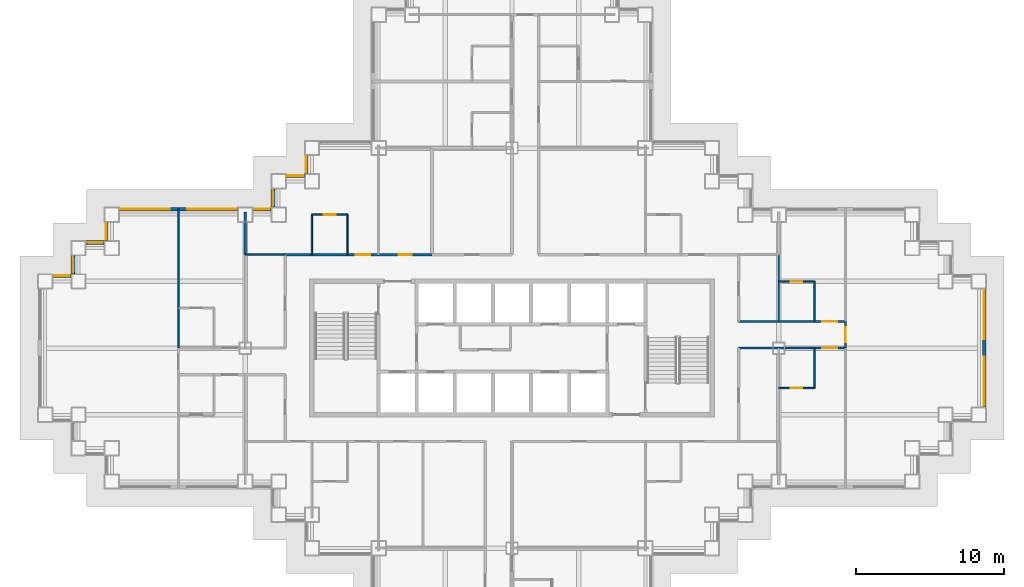
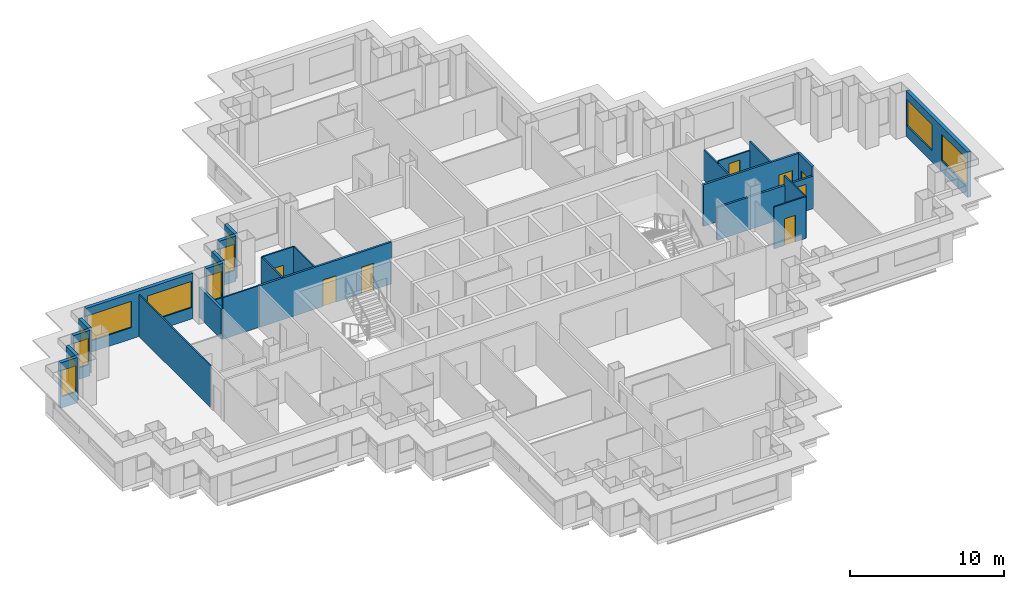
# One storey, part 7 of 14: 25 walls, 12 windows, 8 doors, 20 openings.
"""IFC4 building model written with IfcOpenShell, lengths in metres."""

from ifc_helpers import new_model, si_unit, direction, frame, frame_2d, origin, place, context, subcontext, project, spatial, rectangle, extrude, material, layer, layer_set, type_object, element, fill, save


model = new_model("IFC4")

# Units and contexts
model_context = context("Model", 3, precision=1e-05, world=origin(), true_north=direction((0.0, 1.0)))
body_context = subcontext(model_context, "Body", "Model", "MODEL_VIEW")
ifc_project = project(units=[si_unit("LENGTHUNIT", "METRE"), si_unit("AREAUNIT", "SQUARE_METRE"), si_unit("VOLUMEUNIT", "CUBIC_METRE"), si_unit("PLANEANGLEUNIT", "RADIAN"), si_unit("MASSUNIT", "GRAM", prefix="KILO")], contexts=[model_context])

# Site, building, storey
site_placement = place(None, origin())
site = spatial("IfcSite", under=ifc_project, at=site_placement, CompositionType="ELEMENT")
building_placement = place(site_placement, origin())
building = spatial("IfcBuilding", under=site, at=building_placement, Name="Caravel Reach Hotel and Residences", CompositionType="ELEMENT")
storey_placement = place(building_placement, frame((0.0, 0.0, 67.199951171875)))
storey = spatial("IfcBuildingStorey", under=building, at=storey_placement, Name="L15", CompositionType="ELEMENT", Elevation=67.199951171875)

# Wall, opening, door
ifc_material_1 = material(Name="Gypsum board on steel stud", Category="steel")
ifc_layer_1 = layer(ifc_material_1, 0.10009765625)
ifc_layer_set_1 = layer_set([ifc_layer_1], Name="Bathroom pod wall 100 mm")
wall_type_1 = type_object("IfcWallType", Name="Bathroom pod wall 100 mm", PredefinedType="PARTITIONING", material=ifc_layer_set_1)
wall_1_placement = place(storey_placement, frame((49.5, 24.300048828125, 0.0), z_axis=(0.0, 0.0, 1.0), x_axis=(1.0, 0.0, 0.0)))
wall_1 = element("IfcWall", 1, at=wall_1_placement, inside=storey, type_object=wall_type_1, Name="L15 wall w078", PredefinedType="PARTITIONING", context=body_context, shape_type="SweptSolid", body=[
    extrude(rectangle(XDim=2.39990234375, YDim=0.10009765625, at=frame_2d((1.199951171875, 0.0))), origin(), (0.0, 0.0, 1.0), 3.300048828125),
])
opening_1_placement = place(wall_1_placement, frame((0.800048828125, 0.0, 0.0)))
opening_1 = element("IfcOpeningElement", 2, at=opening_1_placement, cuts=wall_1, Name="Opening D15-020", PredefinedType="OPENING", context=body_context, shape_type="SweptSolid", body=[
    extrude(rectangle(XDim=0.800048828125, YDim=2.10009765625, at=frame_2d((0.39990234375, 1.050048828125))), frame((0.0, 0.06005859375, 0.0), z_axis=(0.0, -1.0, 0.0), x_axis=(1.0, 0.0, 0.0)), (0.0, 0.0, 1.0), 0.1201171875),
])
ifc_material_2 = material(Name="Timber and steel door leaf", Category="steel")
door_type_1 = type_object("IfcDoorType", Name="Bathroom door 800 x 2100", OperationType="SINGLE_SWING_LEFT", PredefinedType="DOOR", material=ifc_material_2)
door_1_placement = place(opening_1_placement, origin())
door_1 = element("IfcDoor", 3, at=door_1_placement, inside=storey, type_object=door_type_1, Name="door D15-020", OperationType="SINGLE_SWING_RIGHT", OverallHeight=2.10009765625, OverallWidth=0.800048828125, PredefinedType="DOOR", context=body_context, shape_type="SweptSolid", body=[
    extrude(rectangle(XDim=0.800048828125, YDim=2.10009765625, at=frame_2d((0.39990234375, 1.050048828125))), frame((0.0, 0.02490234375, 0.0), z_axis=(0.0, -1.0, 0.0), x_axis=(1.0, 0.0, 0.0)), (0.0, 0.0, 1.0), 0.050048828125),
])
fill(opening_1, door_1)

wall_2_placement = place(storey_placement, frame((49.5, 31.5, 0.0), z_axis=(0.0, 0.0, 1.0), x_axis=(1.0, 0.0, 0.0)))
wall_2 = element("IfcWall", 4, at=wall_2_placement, inside=storey, type_object=wall_type_1, Name="L15 wall w080", PredefinedType="PARTITIONING", context=body_context, shape_type="SweptSolid", body=[
    extrude(rectangle(XDim=2.39990234375, YDim=0.10009765625, at=frame_2d((1.199951171875, 0.0))), origin(), (0.0, 0.0, 1.0), 2.580078125),
])
opening_2_placement = place(wall_2_placement, frame((0.800048828125, 0.0, 0.0)))
opening_2 = element("IfcOpeningElement", 5, at=opening_2_placement, cuts=wall_2, Name="Opening D15-022", PredefinedType="OPENING", context=body_context, shape_type="SweptSolid", body=[
    extrude(rectangle(XDim=0.800048828125, YDim=2.10009765625, at=frame_2d((0.39990234375, 1.050048828125))), frame((0.0, 0.06005859375, 0.0), z_axis=(0.0, -1.0, 0.0), x_axis=(1.0, 0.0, 0.0)), (0.0, 0.0, 1.0), 0.1201171875),
])
door_2_placement = place(opening_2_placement, origin())
door_2 = element("IfcDoor", 6, at=door_2_placement, inside=storey, type_object=door_type_1, Name="door D15-022", OperationType="SINGLE_SWING_RIGHT", OverallHeight=2.10009765625, OverallWidth=0.800048828125, PredefinedType="DOOR", context=body_context, shape_type="SweptSolid", body=[
    extrude(rectangle(XDim=0.800048828125, YDim=2.10009765625, at=frame_2d((0.39990234375, 1.050048828125))), frame((0.0, 0.02490234375, 0.0), z_axis=(0.0, -1.0, 0.0), x_axis=(1.0, 0.0, 0.0)), (0.0, 0.0, 1.0), 0.050048828125),
])
fill(opening_2, door_2)

wall_3_placement = place(storey_placement, frame((18.0, 36.0, 0.0), z_axis=(0.0, 0.0, 1.0), x_axis=(1.0, 0.0, 0.0)))
wall_3 = element("IfcWall", 7, at=wall_3_placement, inside=storey, type_object=wall_type_1, Name="L15 wall w081", PredefinedType="PARTITIONING", context=body_context, shape_type="SweptSolid", body=[
    extrude(rectangle(XDim=2.39990234375, YDim=0.10009765625, at=frame_2d((1.199951171875, 0.0))), origin(), (0.0, 0.0, 1.0), 3.300048828125),
])
opening_3_placement = place(wall_3_placement, frame((0.800048828125, 0.0, 0.0)))
opening_3 = element("IfcOpeningElement", 8, at=opening_3_placement, cuts=wall_3, Name="Opening D15-043", PredefinedType="OPENING", context=body_context, shape_type="SweptSolid", body=[
    extrude(rectangle(XDim=0.800048828125, YDim=2.10009765625, at=frame_2d((0.39990234375, 1.050048828125))), frame((0.0, 0.06005859375, 0.0), z_axis=(0.0, -1.0, 0.0), x_axis=(1.0, 0.0, 0.0)), (0.0, 0.0, 1.0), 0.1201171875),
])
door_3_placement = place(opening_3_placement, origin())
door_3 = element("IfcDoor", 9, at=door_3_placement, inside=storey, type_object=door_type_1, Name="door D15-043", OperationType="SINGLE_SWING_LEFT", OverallHeight=2.10009765625, OverallWidth=0.800048828125, PredefinedType="DOOR", context=body_context, shape_type="SweptSolid", body=[
    extrude(rectangle(XDim=0.800048828125, YDim=2.10009765625, at=frame_2d((0.39990234375, 1.050048828125))), frame((0.0, 0.02490234375, 0.0), z_axis=(0.0, -1.0, 0.0), x_axis=(1.0, 0.0, 0.0)), (0.0, 0.0, 1.0), 0.050048828125),
])
fill(opening_3, door_3)

# Walls
for number, where, z_axis, x_axis, name in (
    (10, (18.0, 33.300048828125, 0.0), (0.0, 0.0, 1.0), (0.0, 1.0, 0.0), "L15 wall w090"),
    (11, (20.39990234375, 33.300048828125, 0.0), (0.0, 0.0, 1.0), (0.0, 1.0, 0.0), "L15 wall w091"),
    (12, (51.89990234375, 28.800048828125, 0.0), (0.0, 0.0, 1.0), (0.0, 1.0, 0.0), "L15 wall w103"),
    (13, (51.89990234375, 24.300048828125, 0.0), (0.0, 0.0, 1.0), (0.0, 1.0, 0.0), "L15 wall w104"),
):
    element("IfcWall", number, at=place(storey_placement, frame(where, z_axis=z_axis, x_axis=x_axis)), inside=storey, type_object=wall_type_1, Name=name, PredefinedType="PARTITIONING", context=body_context, shape_type="SweptSolid", body=[
        extrude(rectangle(XDim=2.699951171875, YDim=0.10009765625, at=frame_2d((1.35009765625, 0.0))), origin(), (0.0, 0.0, 1.0), 3.300048828125),
    ])

# Wall, opening, door
ifc_material_3 = material(Name="Gypsum board on steel stud, fire-rated", Category="steel")
ifc_layer_2 = layer(ifc_material_3, 0.14990234375)
ifc_layer_set_2 = layer_set([ifc_layer_2], Name="Corridor wall 150 mm EI 60")
wall_type_2 = type_object("IfcWallType", Name="Corridor wall 150 mm EI 60", PredefinedType="PARTITIONING", material=ifc_layer_set_2)
wall_4_placement = place(storey_placement, frame((46.800048828125, 27.0, 0.0), z_axis=(0.0, 0.0, 1.0), x_axis=(1.0, 0.0, 0.0)))
wall_4 = element("IfcWall", 14, at=wall_4_placement, inside=storey, type_object=wall_type_2, Name="L15 wall w011", PredefinedType="PARTITIONING", context=body_context, shape_type="SweptSolid", body=[
    extrude(rectangle(XDim=7.199951171875, YDim=0.14990234375, at=frame_2d((3.60009765625, 0.0))), origin(), (0.0, 0.0, 1.0), 2.580078125),
])
opening_4_placement = place(wall_4_placement, frame((5.64990234375, 0.0, 0.0)))
opening_4 = element("IfcOpeningElement", 15, at=opening_4_placement, cuts=wall_4, Name="Opening D15-019", PredefinedType="OPENING", context=body_context, shape_type="SweptSolid", body=[
    extrude(rectangle(XDim=1.0, YDim=2.10009765625, at=frame_2d((0.5, 1.050048828125))), frame((0.0, 0.0849609375, 0.0), z_axis=(0.0, -1.0, 0.0), x_axis=(1.0, 0.0, 0.0)), (0.0, 0.0, 1.0), 0.169921875),
])
ifc_material_4 = material(Name="Steel fire door leaf", Category="steel")
door_type_2 = type_object("IfcDoorType", Name="Guest room door 1000 x 2100 EI 30", OperationType="SINGLE_SWING_LEFT", PredefinedType="DOOR", material=ifc_material_4)
door_4_placement = place(opening_4_placement, origin())
door_4 = element("IfcDoor", 16, at=door_4_placement, inside=storey, type_object=door_type_2, Name="door D15-019", OperationType="SINGLE_SWING_RIGHT", OverallHeight=2.10009765625, OverallWidth=1.0, PredefinedType="DOOR", context=body_context, shape_type="SweptSolid", body=[
    extrude(rectangle(XDim=1.0, YDim=2.10009765625, at=frame_2d((0.5, 1.050048828125))), frame((0.0, 0.02490234375, 0.0), z_axis=(0.0, -1.0, 0.0), x_axis=(1.0, 0.0, 0.0)), (0.0, 0.0, 1.0), 0.050048828125),
])
fill(opening_4, door_4)

wall_5_placement = place(storey_placement, frame((46.800048828125, 28.800048828125, 0.0), z_axis=(0.0, 0.0, 1.0), x_axis=(1.0, 0.0, 0.0)))
wall_5 = element("IfcWall", 17, at=wall_5_placement, inside=storey, type_object=wall_type_2, Name="L15 wall w014", PredefinedType="PARTITIONING", context=body_context, shape_type="SweptSolid", body=[
    extrude(rectangle(XDim=7.199951171875, YDim=0.14990234375, at=frame_2d((3.60009765625, 0.0))), origin(), (0.0, 0.0, 1.0), 3.300048828125),
])
opening_5_placement = place(wall_5_placement, frame((5.64990234375, 0.0, 0.0)))
opening_5 = element("IfcOpeningElement", 18, at=opening_5_placement, cuts=wall_5, Name="Opening D15-021", PredefinedType="OPENING", context=body_context, shape_type="SweptSolid", body=[
    extrude(rectangle(XDim=1.0, YDim=2.10009765625, at=frame_2d((0.5, 1.050048828125))), frame((0.0, 0.0849609375, 0.0), z_axis=(0.0, -1.0, 0.0), x_axis=(1.0, 0.0, 0.0)), (0.0, 0.0, 1.0), 0.169921875),
])
door_5_placement = place(opening_5_placement, origin())
door_5 = element("IfcDoor", 19, at=door_5_placement, inside=storey, type_object=door_type_2, Name="door D15-021", OperationType="SINGLE_SWING_RIGHT", OverallHeight=2.10009765625, OverallWidth=1.0, PredefinedType="DOOR", context=body_context, shape_type="SweptSolid", body=[
    extrude(rectangle(XDim=1.0, YDim=2.10009765625, at=frame_2d((0.5, 1.050048828125))), frame((0.0, 0.02490234375, 0.0), z_axis=(0.0, -1.0, 0.0), x_axis=(1.0, 0.0, 0.0)), (0.0, 0.0, 1.0), 0.050048828125),
])
fill(opening_5, door_5)

# Wall, openings, doors
wall_6_placement = place(storey_placement, frame((16.199951171875, 33.300048828125, 0.0), z_axis=(0.0, 0.0, 1.0), x_axis=(1.0, 0.0, 0.0)))
wall_6 = element("IfcWall", 20, at=wall_6_placement, inside=storey, type_object=wall_type_2, Name="L15 wall w015", PredefinedType="PARTITIONING", context=body_context, shape_type="SweptSolid", body=[
    extrude(rectangle(XDim=9.900146484375, YDim=0.14990234375, at=frame_2d((4.9501953125, 0.0))), origin(), (0.0, 0.0, 1.0), 3.300048828125),
])
opening_6_placement = place(wall_6_placement, frame((4.75, 0.0, 0.0)))
opening_6 = element("IfcOpeningElement", 21, at=opening_6_placement, cuts=wall_6, Name="Opening D15-042", PredefinedType="OPENING", context=body_context, shape_type="SweptSolid", body=[
    extrude(rectangle(XDim=1.0, YDim=2.10009765625, at=frame_2d((0.5, 1.050048828125))), frame((0.0, 0.0849609375, 0.0), z_axis=(0.0, -1.0, 0.0), x_axis=(1.0, 0.0, 0.0)), (0.0, 0.0, 1.0), 0.169921875),
])
opening_7_placement = place(wall_6_placement, frame((7.650146484375, 0.0, 0.0)))
opening_7 = element("IfcOpeningElement", 22, at=opening_7_placement, cuts=wall_6, Name="Opening D15-051", PredefinedType="OPENING", context=body_context, shape_type="SweptSolid", body=[
    extrude(rectangle(XDim=0.89990234375, YDim=2.10009765625, at=frame_2d((0.449951171875, 1.050048828125))), frame((0.0, 0.0849609375, 0.0), z_axis=(0.0, -1.0, 0.0), x_axis=(1.0, 0.0, 0.0)), (0.0, 0.0, 1.0), 0.169921875),
])
ifc_material_5 = material(Name="Timber and steel door leaf", Category="steel")
door_type_3 = type_object("IfcDoorType", Name="Door 900 x 2100 timber", OperationType="SINGLE_SWING_LEFT", PredefinedType="DOOR", material=ifc_material_5)
door_6_placement = place(opening_7_placement, origin())
door_6 = element("IfcDoor", 23, at=door_6_placement, inside=storey, type_object=door_type_3, Name="door D15-051", OperationType="SINGLE_SWING_LEFT", OverallHeight=2.10009765625, OverallWidth=0.89990234375, PredefinedType="DOOR", context=body_context, shape_type="SweptSolid", body=[
    extrude(rectangle(XDim=0.89990234375, YDim=2.10009765625, at=frame_2d((0.449951171875, 1.050048828125))), frame((0.0, 0.02490234375, 0.0), z_axis=(0.0, -1.0, 0.0), x_axis=(1.0, 0.0, 0.0)), (0.0, 0.0, 1.0), 0.050048828125),
])
fill(opening_7, door_6)
door_7_placement = place(opening_6_placement, origin())
door_7 = element("IfcDoor", 24, at=door_7_placement, inside=storey, type_object=door_type_2, Name="door D15-042", OperationType="SINGLE_SWING_RIGHT", OverallHeight=2.10009765625, OverallWidth=1.0, PredefinedType="DOOR", context=body_context, shape_type="SweptSolid", body=[
    extrude(rectangle(XDim=1.0, YDim=2.10009765625, at=frame_2d((0.5, 1.050048828125))), frame((0.0, 0.02490234375, 0.0), z_axis=(0.0, -1.0, 0.0), x_axis=(1.0, 0.0, 0.0)), (0.0, 0.0, 1.0), 0.050048828125),
])
fill(opening_6, door_7)

# Wall, opening, door
wall_7_placement = place(storey_placement, frame((54.0, 27.0, 0.0), z_axis=(0.0, 0.0, 1.0), x_axis=(0.0, 1.0, 0.0)))
wall_7 = element("IfcWall", 25, at=wall_7_placement, inside=storey, type_object=wall_type_2, Name="L15 wall w036", PredefinedType="PARTITIONING", context=body_context, shape_type="SweptSolid", body=[
    extrude(rectangle(XDim=1.800048828125, YDim=0.14990234375, at=frame_2d((0.89990234375, 0.0))), origin(), (0.0, 0.0, 1.0), 3.300048828125),
])
opening_8_placement = place(wall_7_placement, frame((0.39990234375, 0.0, 0.0)))
opening_8 = element("IfcOpeningElement", 26, at=opening_8_placement, cuts=wall_7, Name="Opening D15-038", PredefinedType="OPENING", context=body_context, shape_type="SweptSolid", body=[
    extrude(rectangle(XDim=1.0, YDim=2.10009765625, at=frame_2d((0.5, 1.050048828125))), frame((0.0, 0.0849609375, 0.0), z_axis=(0.0, -1.0, 0.0), x_axis=(1.0, 0.0, 0.0)), (0.0, 0.0, 1.0), 0.169921875),
])
door_8_placement = place(opening_8_placement, origin())
door_8 = element("IfcDoor", 27, at=door_8_placement, inside=storey, type_object=door_type_2, Name="door D15-038", OperationType="SINGLE_SWING_RIGHT", OverallHeight=2.10009765625, OverallWidth=1.0, PredefinedType="DOOR", context=body_context, shape_type="SweptSolid", body=[
    extrude(rectangle(XDim=1.0, YDim=2.10009765625, at=frame_2d((0.5, 1.050048828125))), frame((0.0, 0.02490234375, 0.0), z_axis=(0.0, -1.0, 0.0), x_axis=(1.0, 0.0, 0.0)), (0.0, 0.0, 1.0), 0.050048828125),
])
fill(opening_8, door_8)

# Wall, openings, windows
ifc_material_6 = material(Name="Insulated rainscreen wall, aluminium cladding", Category="aluminium")
ifc_layer_3 = layer(ifc_material_6, 0.25)
ifc_layer_set_3 = layer_set([ifc_layer_3], Name="EW1 Tower rainscreen wall")
wall_type_3 = type_object("IfcWallType", Name="EW1 Tower rainscreen wall", PredefinedType="SOLIDWALL", material=ifc_layer_set_3)
wall_8_placement = place(storey_placement, frame((63.375, 23.0, 0.0), z_axis=(0.0, 0.0, 1.0), x_axis=(0.0, 1.0, 0.0)))
wall_8 = element("IfcWall", 28, at=wall_8_placement, inside=storey, type_object=wall_type_3, Name="External wall L15 E20.1", PredefinedType="SOLIDWALL", context=body_context, shape_type="SweptSolid", body=[
    extrude(rectangle(XDim=8.0, YDim=0.25, at=frame_2d((4.0, 0.0))), origin(), (0.0, 0.0, 1.0), 3.60009765625),
])
opening_9_placement = place(wall_8_placement, frame((0.10009765625, 0.0, 0.89990234375)))
opening_9 = element("IfcOpeningElement", 29, at=opening_9_placement, cuts=wall_8, Name="Opening WN4", PredefinedType="OPENING", context=body_context, shape_type="SweptSolid", body=[
    extrude(rectangle(XDim=3.300048828125, YDim=2.080078125, at=frame_2d((1.64990234375, 1.0400390625))), frame((0.0, 0.135009765625, 0.0), z_axis=(0.0, -1.0, 0.0), x_axis=(1.0, 0.0, 0.0)), (0.0, 0.0, 1.0), 0.27001953125),
])
opening_10_placement = place(wall_8_placement, frame((4.60009765625, 0.0, 0.89990234375)))
opening_10 = element("IfcOpeningElement", 30, at=opening_10_placement, cuts=wall_8, Name="Opening WN4", PredefinedType="OPENING", context=body_context, shape_type="SweptSolid", body=[
    extrude(rectangle(XDim=3.300048828125, YDim=2.080078125, at=frame_2d((1.64990234375, 1.0400390625))), frame((0.0, 0.135009765625, 0.0), z_axis=(0.0, -1.0, 0.0), x_axis=(1.0, 0.0, 0.0)), (0.0, 0.0, 1.0), 0.27001953125),
])
ifc_material_7 = material(Name="Dark low-e glazing in black aluminium frame", Category="aluminium")
window_type_1 = type_object("IfcWindowType", Name="Hotel guest room window 3300 x 2080", PartitioningType="SINGLE_PANEL", PredefinedType="WINDOW", material=ifc_material_7)
window_1_placement = place(opening_9_placement, origin())
window_1 = element("IfcWindow", 31, at=window_1_placement, inside=storey, type_object=window_type_1, Name="Window L15 E20.1.1", OverallHeight=2.080078125, OverallWidth=3.300048828125, PartitioningType="SINGLE_PANEL", PredefinedType="WINDOW", context=body_context, shape_type="SweptSolid", body=[
    extrude(rectangle(XDim=3.300048828125, YDim=2.080078125, at=frame_2d((1.64990234375, 1.0400390625))), frame((0.0, 0.030029296875, 0.0), z_axis=(0.0, -1.0, 0.0), x_axis=(1.0, 0.0, 0.0)), (0.0, 0.0, 1.0), 0.06005859375),
])
fill(opening_9, window_1)
window_2_placement = place(opening_10_placement, origin())
window_2 = element("IfcWindow", 32, at=window_2_placement, inside=storey, type_object=window_type_1, Name="Window L15 E20.1.2", OverallHeight=2.080078125, OverallWidth=3.300048828125, PartitioningType="SINGLE_PANEL", PredefinedType="WINDOW", context=body_context, shape_type="SweptSolid", body=[
    extrude(rectangle(XDim=3.300048828125, YDim=2.080078125, at=frame_2d((1.64990234375, 1.0400390625))), frame((0.0, 0.030029296875, 0.0), z_axis=(0.0, -1.0, 0.0), x_axis=(1.0, 0.0, 0.0)), (0.0, 0.0, 1.0), 0.06005859375),
])
fill(opening_10, window_2)

# Wall, opening, window
wall_9_placement = place(storey_placement, frame((17.625, 40.0, 0.0), z_axis=(0.0, 0.0, 1.0), x_axis=(0.0, -1.0, 0.0)))
wall_9 = element("IfcWall", 33, at=wall_9_placement, inside=storey, type_object=wall_type_3, Name="External wall L15 W42.1", PredefinedType="SOLIDWALL", context=body_context, shape_type="SweptSolid", body=[
    extrude(rectangle(XDim=1.25, YDim=0.25, at=frame_2d((0.625, 0.0))), origin(), (0.0, 0.0, 1.0), 3.60009765625),
])
opening_11_placement = place(wall_9_placement, frame((0.10009765625, 0.0, 0.89990234375)))
opening_11 = element("IfcOpeningElement", 34, at=opening_11_placement, cuts=wall_9, Name="Opening WN3", PredefinedType="OPENING", context=body_context, shape_type="SweptSolid", body=[
    extrude(rectangle(XDim=1.050048828125, YDim=2.080078125, at=frame_2d((0.52490234375, 1.0400390625))), frame((0.0, 0.135009765625, 0.0), z_axis=(0.0, -1.0, 0.0), x_axis=(1.0, 0.0, 0.0)), (0.0, 0.0, 1.0), 0.27001953125),
])
ifc_material_8 = material(Name="Dark low-e glazing in black aluminium frame", Category="aluminium")
window_type_2 = type_object("IfcWindowType", Name="Hotel suite corner window 1050 x 2080", PartitioningType="SINGLE_PANEL", PredefinedType="WINDOW", material=ifc_material_8)
window_3_placement = place(opening_11_placement, origin())
window_3 = element("IfcWindow", 35, at=window_3_placement, inside=storey, type_object=window_type_2, Name="Window L15 W42.1.1", OverallHeight=2.080078125, OverallWidth=1.050048828125, PartitioningType="SINGLE_PANEL", PredefinedType="WINDOW", context=body_context, shape_type="SweptSolid", body=[
    extrude(rectangle(XDim=1.050048828125, YDim=2.080078125, at=frame_2d((0.52490234375, 1.0400390625))), frame((0.0, 0.030029296875, 0.0), z_axis=(0.0, -1.0, 0.0), x_axis=(1.0, 0.0, 0.0)), (0.0, 0.0, 1.0), 0.06005859375),
])
fill(opening_11, window_3)

wall_10_placement = place(storey_placement, frame((17.5, 38.625, 0.0), z_axis=(0.0, 0.0, 1.0), x_axis=(-1.0, 0.0, 0.0)))
wall_10 = element("IfcWall", 36, at=wall_10_placement, inside=storey, type_object=wall_type_3, Name="External wall L15 N43.1", PredefinedType="SOLIDWALL", context=body_context, shape_type="SweptSolid", body=[
    extrude(rectangle(XDim=1.25, YDim=0.25, at=frame_2d((0.625, 0.0))), origin(), (0.0, 0.0, 1.0), 3.60009765625),
])
opening_12_placement = place(wall_10_placement, frame((0.10009765625, 0.0, 0.89990234375)))
opening_12 = element("IfcOpeningElement", 37, at=opening_12_placement, cuts=wall_10, Name="Opening WN3", PredefinedType="OPENING", context=body_context, shape_type="SweptSolid", body=[
    extrude(rectangle(XDim=1.050048828125, YDim=2.080078125, at=frame_2d((0.52490234375, 1.0400390625))), frame((0.0, 0.135009765625, 0.0), z_axis=(0.0, -1.0, 0.0), x_axis=(1.0, 0.0, 0.0)), (0.0, 0.0, 1.0), 0.27001953125),
])
window_4_placement = place(opening_12_placement, origin())
window_4 = element("IfcWindow", 38, at=window_4_placement, inside=storey, type_object=window_type_2, Name="Window L15 N43.1.1", OverallHeight=2.080078125, OverallWidth=1.050048828125, PartitioningType="SINGLE_PANEL", PredefinedType="WINDOW", context=body_context, shape_type="SweptSolid", body=[
    extrude(rectangle(XDim=1.050048828125, YDim=2.080078125, at=frame_2d((0.52490234375, 1.0400390625))), frame((0.0, 0.030029296875, 0.0), z_axis=(0.0, -1.0, 0.0), x_axis=(1.0, 0.0, 0.0)), (0.0, 0.0, 1.0), 0.06005859375),
])
fill(opening_12, window_4)

wall_11_placement = place(storey_placement, frame((15.375, 37.75, 0.0), z_axis=(0.0, 0.0, 1.0), x_axis=(0.0, -1.0, 0.0)))
wall_11 = element("IfcWall", 39, at=wall_11_placement, inside=storey, type_object=wall_type_3, Name="External wall L15 W44.1", PredefinedType="SOLIDWALL", context=body_context, shape_type="SweptSolid", body=[
    extrude(rectangle(XDim=1.25, YDim=0.25, at=frame_2d((0.625, 0.0))), origin(), (0.0, 0.0, 1.0), 3.60009765625),
])
opening_13_placement = place(wall_11_placement, frame((0.10009765625, 0.0, 0.89990234375)))
opening_13 = element("IfcOpeningElement", 40, at=opening_13_placement, cuts=wall_11, Name="Opening WN3", PredefinedType="OPENING", context=body_context, shape_type="SweptSolid", body=[
    extrude(rectangle(XDim=1.050048828125, YDim=2.080078125, at=frame_2d((0.52490234375, 1.0400390625))), frame((0.0, 0.135009765625, 0.0), z_axis=(0.0, -1.0, 0.0), x_axis=(1.0, 0.0, 0.0)), (0.0, 0.0, 1.0), 0.27001953125),
])
window_5_placement = place(opening_13_placement, origin())
window_5 = element("IfcWindow", 41, at=window_5_placement, inside=storey, type_object=window_type_2, Name="Window L15 W44.1.1", OverallHeight=2.080078125, OverallWidth=1.050048828125, PartitioningType="SINGLE_PANEL", PredefinedType="WINDOW", context=body_context, shape_type="SweptSolid", body=[
    extrude(rectangle(XDim=1.050048828125, YDim=2.080078125, at=frame_2d((0.52490234375, 1.0400390625))), frame((0.0, 0.030029296875, 0.0), z_axis=(0.0, -1.0, 0.0), x_axis=(1.0, 0.0, 0.0)), (0.0, 0.0, 1.0), 0.06005859375),
])
fill(opening_13, window_5)

wall_12_placement = place(storey_placement, frame((15.25, 36.375, 0.0), z_axis=(0.0, 0.0, 1.0), x_axis=(-1.0, 0.0, 0.0)))
wall_12 = element("IfcWall", 42, at=wall_12_placement, inside=storey, type_object=wall_type_3, Name="External wall L15 N45.1", PredefinedType="SOLIDWALL", context=body_context, shape_type="SweptSolid", body=[
    extrude(rectangle(XDim=1.25, YDim=0.25, at=frame_2d((0.625, 0.0))), origin(), (0.0, 0.0, 1.0), 3.60009765625),
])
opening_14_placement = place(wall_12_placement, frame((0.10009765625, 0.0, 0.89990234375)))
opening_14 = element("IfcOpeningElement", 43, at=opening_14_placement, cuts=wall_12, Name="Opening WN3", PredefinedType="OPENING", context=body_context, shape_type="SweptSolid", body=[
    extrude(rectangle(XDim=1.050048828125, YDim=2.080078125, at=frame_2d((0.52490234375, 1.0400390625))), frame((0.0, 0.135009765625, 0.0), z_axis=(0.0, -1.0, 0.0), x_axis=(1.0, 0.0, 0.0)), (0.0, 0.0, 1.0), 0.27001953125),
])
window_6_placement = place(opening_14_placement, origin())
window_6 = element("IfcWindow", 44, at=window_6_placement, inside=storey, type_object=window_type_2, Name="Window L15 N45.1.1", OverallHeight=2.080078125, OverallWidth=1.050048828125, PartitioningType="SINGLE_PANEL", PredefinedType="WINDOW", context=body_context, shape_type="SweptSolid", body=[
    extrude(rectangle(XDim=1.050048828125, YDim=2.080078125, at=frame_2d((0.52490234375, 1.0400390625))), frame((0.0, 0.030029296875, 0.0), z_axis=(0.0, -1.0, 0.0), x_axis=(1.0, 0.0, 0.0)), (0.0, 0.0, 1.0), 0.06005859375),
])
fill(opening_14, window_6)

# Wall, openings, windows
wall_13_placement = place(storey_placement, frame((13.0, 36.375, 0.0), z_axis=(0.0, 0.0, 1.0), x_axis=(-1.0, 0.0, 0.0)))
wall_13 = element("IfcWall", 45, at=wall_13_placement, inside=storey, type_object=wall_type_3, Name="External wall L15 N45.2", PredefinedType="SOLIDWALL", context=body_context, shape_type="SweptSolid", body=[
    extrude(rectangle(XDim=8.0, YDim=0.25, at=frame_2d((4.0, 0.0))), origin(), (0.0, 0.0, 1.0), 3.60009765625),
])
opening_15_placement = place(wall_13_placement, frame((0.10009765625, 0.0, 0.89990234375)))
opening_15 = element("IfcOpeningElement", 46, at=opening_15_placement, cuts=wall_13, Name="Opening WN4", PredefinedType="OPENING", context=body_context, shape_type="SweptSolid", body=[
    extrude(rectangle(XDim=3.300048828125, YDim=2.080078125, at=frame_2d((1.64990234375, 1.0400390625))), frame((0.0, 0.135009765625, 0.0), z_axis=(0.0, -1.0, 0.0), x_axis=(1.0, 0.0, 0.0)), (0.0, 0.0, 1.0), 0.27001953125),
])
opening_16_placement = place(wall_13_placement, frame((4.60009765625, 0.0, 0.89990234375)))
opening_16 = element("IfcOpeningElement", 47, at=opening_16_placement, cuts=wall_13, Name="Opening WN4", PredefinedType="OPENING", context=body_context, shape_type="SweptSolid", body=[
    extrude(rectangle(XDim=3.300048828125, YDim=2.080078125, at=frame_2d((1.64990234375, 1.0400390625))), frame((0.0, 0.135009765625, 0.0), z_axis=(0.0, -1.0, 0.0), x_axis=(1.0, 0.0, 0.0)), (0.0, 0.0, 1.0), 0.27001953125),
])
window_7_placement = place(opening_15_placement, origin())
window_7 = element("IfcWindow", 48, at=window_7_placement, inside=storey, type_object=window_type_1, Name="Window L15 N45.2.1", OverallHeight=2.080078125, OverallWidth=3.300048828125, PartitioningType="SINGLE_PANEL", PredefinedType="WINDOW", context=body_context, shape_type="SweptSolid", body=[
    extrude(rectangle(XDim=3.300048828125, YDim=2.080078125, at=frame_2d((1.64990234375, 1.0400390625))), frame((0.0, 0.030029296875, 0.0), z_axis=(0.0, -1.0, 0.0), x_axis=(1.0, 0.0, 0.0)), (0.0, 0.0, 1.0), 0.06005859375),
])
fill(opening_15, window_7)
window_8_placement = place(opening_16_placement, origin())
window_8 = element("IfcWindow", 49, at=window_8_placement, inside=storey, type_object=window_type_1, Name="Window L15 N45.2.2", OverallHeight=2.080078125, OverallWidth=3.300048828125, PartitioningType="SINGLE_PANEL", PredefinedType="WINDOW", context=body_context, shape_type="SweptSolid", body=[
    extrude(rectangle(XDim=3.300048828125, YDim=2.080078125, at=frame_2d((1.64990234375, 1.0400390625))), frame((0.0, 0.030029296875, 0.0), z_axis=(0.0, -1.0, 0.0), x_axis=(1.0, 0.0, 0.0)), (0.0, 0.0, 1.0), 0.06005859375),
])
fill(opening_16, window_8)

# Wall, opening, window
wall_14_placement = place(storey_placement, frame((4.125, 35.5, 0.0), z_axis=(0.0, 0.0, 1.0), x_axis=(0.0, -1.0, 0.0)))
wall_14 = element("IfcWall", 50, at=wall_14_placement, inside=storey, type_object=wall_type_3, Name="External wall L15 W46.1", PredefinedType="SOLIDWALL", context=body_context, shape_type="SweptSolid", body=[
    extrude(rectangle(XDim=1.25, YDim=0.25, at=frame_2d((0.625, 0.0))), origin(), (0.0, 0.0, 1.0), 3.60009765625),
])
opening_17_placement = place(wall_14_placement, frame((0.10009765625, 0.0, 0.89990234375)))
opening_17 = element("IfcOpeningElement", 51, at=opening_17_placement, cuts=wall_14, Name="Opening WN3", PredefinedType="OPENING", context=body_context, shape_type="SweptSolid", body=[
    extrude(rectangle(XDim=1.050048828125, YDim=2.080078125, at=frame_2d((0.52490234375, 1.0400390625))), frame((0.0, 0.135009765625, 0.0), z_axis=(0.0, -1.0, 0.0), x_axis=(1.0, 0.0, 0.0)), (0.0, 0.0, 1.0), 0.27001953125),
])
window_9_placement = place(opening_17_placement, origin())
window_9 = element("IfcWindow", 52, at=window_9_placement, inside=storey, type_object=window_type_2, Name="Window L15 W46.1.1", OverallHeight=2.080078125, OverallWidth=1.050048828125, PartitioningType="SINGLE_PANEL", PredefinedType="WINDOW", context=body_context, shape_type="SweptSolid", body=[
    extrude(rectangle(XDim=1.050048828125, YDim=2.080078125, at=frame_2d((0.52490234375, 1.0400390625))), frame((0.0, 0.030029296875, 0.0), z_axis=(0.0, -1.0, 0.0), x_axis=(1.0, 0.0, 0.0)), (0.0, 0.0, 1.0), 0.06005859375),
])
fill(opening_17, window_9)

wall_15_placement = place(storey_placement, frame((4.0, 34.125, 0.0), z_axis=(0.0, 0.0, 1.0), x_axis=(-1.0, 0.0, 0.0)))
wall_15 = element("IfcWall", 53, at=wall_15_placement, inside=storey, type_object=wall_type_3, Name="External wall L15 N47.1", PredefinedType="SOLIDWALL", context=body_context, shape_type="SweptSolid", body=[
    extrude(rectangle(XDim=1.25, YDim=0.25, at=frame_2d((0.625, 0.0))), origin(), (0.0, 0.0, 1.0), 3.60009765625),
])
opening_18_placement = place(wall_15_placement, frame((0.10009765625, 0.0, 0.89990234375)))
opening_18 = element("IfcOpeningElement", 54, at=opening_18_placement, cuts=wall_15, Name="Opening WN3", PredefinedType="OPENING", context=body_context, shape_type="SweptSolid", body=[
    extrude(rectangle(XDim=1.050048828125, YDim=2.080078125, at=frame_2d((0.52490234375, 1.0400390625))), frame((0.0, 0.135009765625, 0.0), z_axis=(0.0, -1.0, 0.0), x_axis=(1.0, 0.0, 0.0)), (0.0, 0.0, 1.0), 0.27001953125),
])
window_10_placement = place(opening_18_placement, origin())
window_10 = element("IfcWindow", 55, at=window_10_placement, inside=storey, type_object=window_type_2, Name="Window L15 N47.1.1", OverallHeight=2.080078125, OverallWidth=1.050048828125, PartitioningType="SINGLE_PANEL", PredefinedType="WINDOW", context=body_context, shape_type="SweptSolid", body=[
    extrude(rectangle(XDim=1.050048828125, YDim=2.080078125, at=frame_2d((0.52490234375, 1.0400390625))), frame((0.0, 0.030029296875, 0.0), z_axis=(0.0, -1.0, 0.0), x_axis=(1.0, 0.0, 0.0)), (0.0, 0.0, 1.0), 0.06005859375),
])
fill(opening_18, window_10)

wall_16_placement = place(storey_placement, frame((1.875, 33.25, 0.0), z_axis=(0.0, 0.0, 1.0), x_axis=(0.0, -1.0, 0.0)))
wall_16 = element("IfcWall", 56, at=wall_16_placement, inside=storey, type_object=wall_type_3, Name="External wall L15 W48.1", PredefinedType="SOLIDWALL", context=body_context, shape_type="SweptSolid", body=[
    extrude(rectangle(XDim=1.25, YDim=0.25, at=frame_2d((0.625, 0.0))), origin(), (0.0, 0.0, 1.0), 3.60009765625),
])
opening_19_placement = place(wall_16_placement, frame((0.10009765625, 0.0, 0.89990234375)))
opening_19 = element("IfcOpeningElement", 57, at=opening_19_placement, cuts=wall_16, Name="Opening WN3", PredefinedType="OPENING", context=body_context, shape_type="SweptSolid", body=[
    extrude(rectangle(XDim=1.050048828125, YDim=2.080078125, at=frame_2d((0.52490234375, 1.0400390625))), frame((0.0, 0.135009765625, 0.0), z_axis=(0.0, -1.0, 0.0), x_axis=(1.0, 0.0, 0.0)), (0.0, 0.0, 1.0), 0.27001953125),
])
window_11_placement = place(opening_19_placement, origin())
window_11 = element("IfcWindow", 58, at=window_11_placement, inside=storey, type_object=window_type_2, Name="Window L15 W48.1.1", OverallHeight=2.080078125, OverallWidth=1.050048828125, PartitioningType="SINGLE_PANEL", PredefinedType="WINDOW", context=body_context, shape_type="SweptSolid", body=[
    extrude(rectangle(XDim=1.050048828125, YDim=2.080078125, at=frame_2d((0.52490234375, 1.0400390625))), frame((0.0, 0.030029296875, 0.0), z_axis=(0.0, -1.0, 0.0), x_axis=(1.0, 0.0, 0.0)), (0.0, 0.0, 1.0), 0.06005859375),
])
fill(opening_19, window_11)

wall_17_placement = place(storey_placement, frame((1.75, 31.875, 0.0), z_axis=(0.0, 0.0, 1.0), x_axis=(-1.0, 0.0, 0.0)))
wall_17 = element("IfcWall", 59, at=wall_17_placement, inside=storey, type_object=wall_type_3, Name="External wall L15 N49.1", PredefinedType="SOLIDWALL", context=body_context, shape_type="SweptSolid", body=[
    extrude(rectangle(XDim=1.25, YDim=0.25, at=frame_2d((0.625, 0.0))), origin(), (0.0, 0.0, 1.0), 3.60009765625),
])
opening_20_placement = place(wall_17_placement, frame((0.10009765625, 0.0, 0.89990234375)))
opening_20 = element("IfcOpeningElement", 60, at=opening_20_placement, cuts=wall_17, Name="Opening WN3", PredefinedType="OPENING", context=body_context, shape_type="SweptSolid", body=[
    extrude(rectangle(XDim=1.050048828125, YDim=2.080078125, at=frame_2d((0.52490234375, 1.0400390625))), frame((0.0, 0.135009765625, 0.0), z_axis=(0.0, -1.0, 0.0), x_axis=(1.0, 0.0, 0.0)), (0.0, 0.0, 1.0), 0.27001953125),
])
window_12_placement = place(opening_20_placement, origin())
window_12 = element("IfcWindow", 61, at=window_12_placement, inside=storey, type_object=window_type_2, Name="Window L15 N49.1.1", OverallHeight=2.080078125, OverallWidth=1.050048828125, PartitioningType="SINGLE_PANEL", PredefinedType="WINDOW", context=body_context, shape_type="SweptSolid", body=[
    extrude(rectangle(XDim=1.050048828125, YDim=2.080078125, at=frame_2d((0.52490234375, 1.0400390625))), frame((0.0, 0.030029296875, 0.0), z_axis=(0.0, -1.0, 0.0), x_axis=(1.0, 0.0, 0.0)), (0.0, 0.0, 1.0), 0.06005859375),
])
fill(opening_20, window_12)

# Walls
ifc_material_9 = material(Name="Gypsum board on steel stud", Category="steel")
ifc_layer_4 = layer(ifc_material_9, 0.10009765625)
ifc_layer_set_4 = layer_set([ifc_layer_4], Name="Partition 100 mm")
wall_type_4 = type_object("IfcWallType", Name="Partition 100 mm", PredefinedType="PARTITIONING", material=ifc_layer_set_4)
wall_18_placement = place(storey_placement, frame((13.5, 33.300048828125, 0.0), z_axis=(0.0, 0.0, 1.0), x_axis=(1.0, 0.0, 0.0)))
element("IfcWall", 62, at=wall_18_placement, inside=storey, type_object=wall_type_4, Name="L15 wall w043", PredefinedType="PARTITIONING", context=body_context, shape_type="SweptSolid", body=[
    extrude(rectangle(XDim=2.699951171875, YDim=0.10009765625, at=frame_2d((1.35009765625, 0.0))), origin(), (0.0, 0.0, 1.0), 3.300048828125),
])
wall_19_placement = place(storey_placement, frame((49.5, 28.800048828125, 0.0), z_axis=(0.0, 0.0, 1.0), x_axis=(0.0, 1.0, 0.0)))
element("IfcWall", 63, at=wall_19_placement, inside=storey, type_object=wall_type_4, Name="L15 wall w060", PredefinedType="PARTITIONING", context=body_context, shape_type="SweptSolid", body=[
    extrude(rectangle(XDim=4.5, YDim=0.10009765625, at=frame_2d((2.25, 0.0))), origin(), (0.0, 0.0, 1.0), 2.380126953125),
])
wall_20_placement = place(storey_placement, frame((9.0, 27.0, 0.0), z_axis=(0.0, 0.0, 1.0), x_axis=(0.0, 1.0, 0.0)))
element("IfcWall", 64, at=wall_20_placement, inside=storey, type_object=wall_type_4, Name="L15 wall w064", PredefinedType="PARTITIONING", context=body_context, shape_type="SweptSolid", body=[
    extrude(rectangle(XDim=9.43994140625, YDim=0.10009765625, at=frame_2d((4.719970703125, 0.0))), origin(), (0.0, 0.0, 1.0), 3.300048828125),
])
ifc_material_10 = material(Name="Autoclaved aerated block wall")
ifc_layer_5 = layer(ifc_material_10, 0.199951171875)
ifc_layer_set_5 = layer_set([ifc_layer_5], Name="Party wall 200 mm EI 60")
wall_type_5 = type_object("IfcWallType", Name="Party wall 200 mm EI 60", PredefinedType="PARTITIONING", material=ifc_layer_set_5)
wall_21_placement = place(storey_placement, frame((13.5, 33.300048828125, 0.0), z_axis=(0.0, 0.0, 1.0), x_axis=(0.0, 1.0, 0.0)))
element("IfcWall", 65, at=wall_21_placement, inside=storey, type_object=wall_type_5, Name="L15 wall w070", PredefinedType="PARTITIONING", context=body_context, shape_type="SweptSolid", body=[
    extrude(rectangle(XDim=2.889892578125, YDim=0.199951171875, at=frame_2d((1.44482421875, 0.0))), origin(), (0.0, 0.0, 1.0), 2.380126953125),
])

save(model, "model.ifc")
